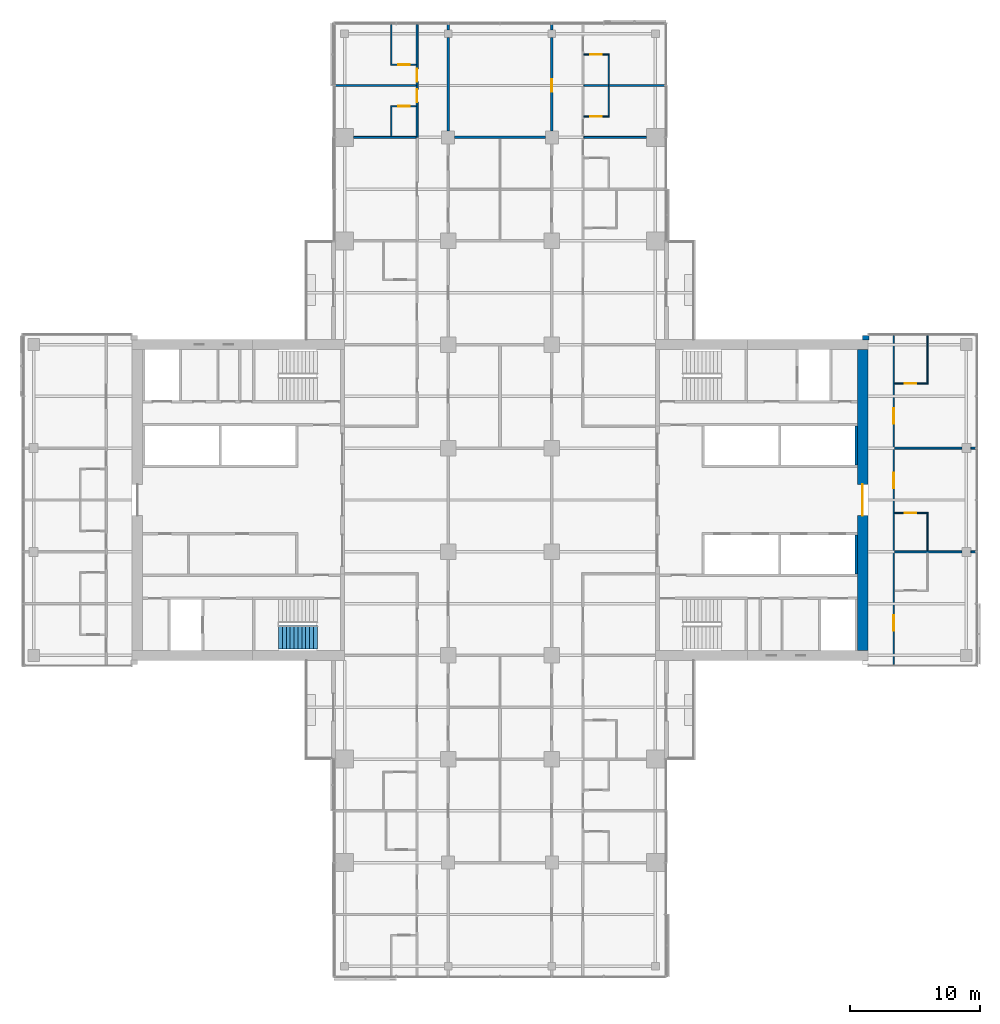
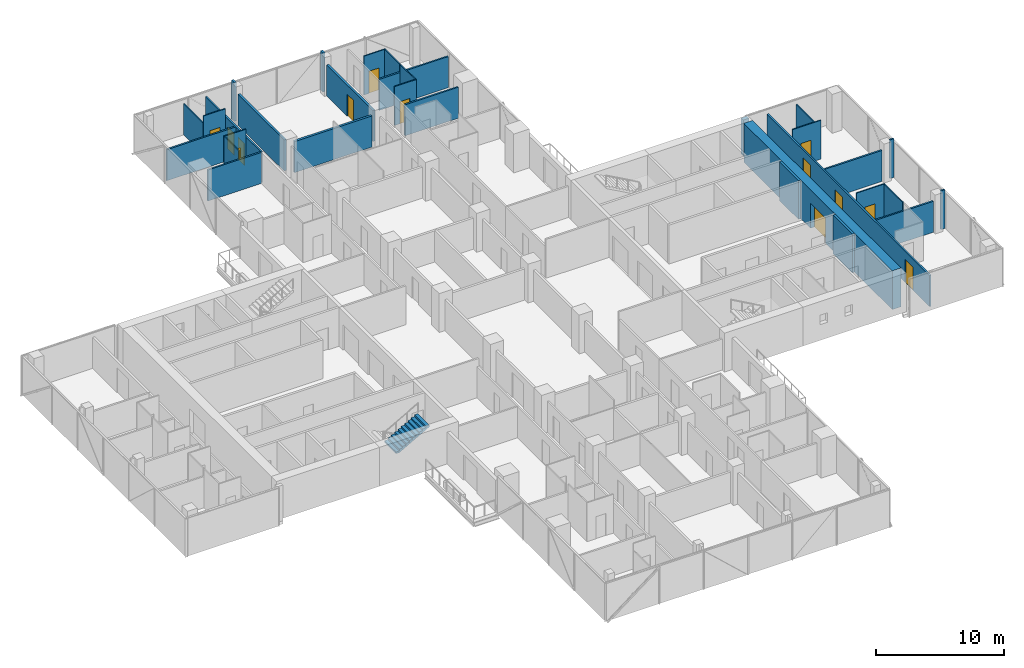
# One storey, part 21 of 27: 31 walls, 13 doors, 1 stair flight, 13 openings, 1 element without a shape of its own.
"""IFC4 building model written with IfcOpenShell, lengths in metres."""

from ifc_helpers import new_model, si_unit, direction, frame, frame_2d, origin, place, context, subcontext, project, spatial, polyline, rectangle, outline, extrude, material, layer, layer_set, type_object, element, fill, aggregate, save


model = new_model("IFC4")

# Units and contexts
model_context = context("Model", 3, precision=1e-05, world=origin(), true_north=direction((0.0, 1.0)))
body_context = subcontext(model_context, "Body", "Model", "MODEL_VIEW")
ifc_project = project(units=[si_unit("LENGTHUNIT", "METRE"), si_unit("AREAUNIT", "SQUARE_METRE"), si_unit("VOLUMEUNIT", "CUBIC_METRE"), si_unit("PLANEANGLEUNIT", "RADIAN"), si_unit("MASSUNIT", "GRAM", prefix="KILO")], contexts=[model_context])

# Site, building, storey
site_placement = place(None, origin())
site = spatial("IfcSite", under=ifc_project, at=site_placement, CompositionType="ELEMENT")
building_placement = place(site_placement, origin())
building = spatial("IfcBuilding", under=site, at=building_placement, Name="Crosswind Convention Tower", CompositionType="ELEMENT")
storey_placement = place(building_placement, frame((0.0, 0.0, 83.10009765625)))
storey = spatial("IfcBuildingStorey", under=building, at=storey_placement, Name="L15", CompositionType="ELEMENT", Elevation=83.10009765625)

# Wall, opening, door
ifc_material_1 = material(Name="Concrete C60/75", Category="concrete")
ifc_layer_1 = layer(ifc_material_1, 0.800048828125)
ifc_layer_set_1 = layer_set([ifc_layer_1], Name="Concrete C60/75")
wall_type_1 = type_object("IfcWallType", Name="Concrete core wall 800", PredefinedType="SHEAR", material=ifc_layer_set_1)
wall_1_placement = place(storey_placement, frame((153.0, 88.39990234375, 0.0), z_axis=(0.0, 0.0, 1.0), x_axis=(0.0, 1.0, 0.0)))
wall_1 = element("IfcWall", 1, at=wall_1_placement, inside=storey, type_object=wall_type_1, Name="Wall O E L15", PredefinedType="SHEAR", context=body_context, shape_type="SweptSolid", body=[
    extrude(rectangle(XDim=23.2001953125, YDim=0.800048828125, at=frame_2d((11.60009765625, 0.0))), origin(), (0.0, 0.0, 1.0), 3.699951171875),
])
opening_1_placement = place(wall_1_placement, frame((10.39990234375, 0.0, 0.0)))
opening_1 = element("IfcOpeningElement", 2, at=opening_1_placement, cuts=wall_1, Name="Opening D100", PredefinedType="OPENING", context=body_context, shape_type="SweptSolid", body=[
    extrude(rectangle(XDim=2.39990234375, YDim=2.39990234375, at=frame_2d((1.199951171875, 1.199951171875))), frame((0.0, 0.409912109375, 0.0), z_axis=(0.0, -1.0, 0.0), x_axis=(1.0, 0.0, 0.0)), (0.0, 0.0, 1.0), 0.820068359375),
])
ifc_material_2 = material(Name="Steel fire door with glazed vision panels", Category="steel")
door_type_1 = type_object("IfcDoorType", Name="Fire-rated double door 2400x2400", OperationType="DOUBLE_DOOR_SINGLE_SWING", PredefinedType="DOOR", material=ifc_material_2)
door_1_placement = place(opening_1_placement, origin())
door_1 = element("IfcDoor", 3, at=door_1_placement, inside=storey, type_object=door_type_1, Name="Lobby outer door L15", ObjectType="D100", OperationType="DOUBLE_DOOR_SINGLE_SWING", OverallHeight=2.39990234375, OverallWidth=2.39990234375, PredefinedType="DOOR", context=body_context, shape_type="SweptSolid", body=[
    extrude(rectangle(XDim=2.39990234375, YDim=2.39990234375, at=frame_2d((1.199951171875, 1.199951171875))), frame((0.0, 0.02490234375, 0.0), z_axis=(0.0, -1.0, 0.0), x_axis=(1.0, 0.0, 0.0)), (0.0, 0.0, 1.0), 0.050048828125),
])
fill(opening_1, door_1)

# Walls
ifc_material_3 = material(Name="Concrete C50/60", Category="concrete")
ifc_layer_2 = layer(ifc_material_3, 0.199951171875)
ifc_layer_set_2 = layer_set([ifc_layer_2], Name="Concrete C50/60")
wall_type_2 = type_object("IfcWallType", Name="Concrete shaft and stair wall 200", PredefinedType="SHEAR", material=ifc_layer_set_2)
for number, where, z_axis, x_axis, name in (
    (4, (152.5, 102.699951171875, 0.0), (0.0, 0.0, 1.0), (0.0, 1.0, 0.0), "Wall RPEAST E L15"),
    (5, (152.5, 94.300048828125, 0.0), (0.0, 0.0, 1.0), (0.0, 1.0, 0.0), "Wall RMEAST E L15"),
):
    element("IfcWall", number, at=place(storey_placement, frame(where, z_axis=z_axis, x_axis=x_axis)), inside=storey, type_object=wall_type_2, Name=name, PredefinedType="SHEAR", context=body_context, shape_type="SweptSolid", body=[
        extrude(rectangle(XDim=3.0, YDim=0.199951171875, at=frame_2d((1.5, 0.0))), origin(), (0.0, 0.0, 1.0), 3.699951171875),
    ])
ifc_material_4 = material(Name="Acoustic plasterboard partition", Category="gypsum")
ifc_layer_3 = layer(ifc_material_4, 0.14990234375)
ifc_layer_set_3 = layer_set([ifc_layer_3], Name="GUEST ROOM WALL 150")
wall_type_3 = type_object("IfcWallType", Name="GUEST ROOM WALL 150", PredefinedType="PARTITIONING", material=ifc_layer_set_3)
wall_2_placement = place(storey_placement, frame((155.47509765625, 96.0, 0.0), z_axis=(0.0, 0.0, 1.0), x_axis=(1.0, 0.0, 0.0)))
element("IfcWall", 6, at=wall_2_placement, inside=storey, type_object=wall_type_3, Name="Guest Room Wall 28", PredefinedType="PARTITIONING", context=body_context, shape_type="SweptSolid", body=[
    extrude(rectangle(XDim=5.1748046875, YDim=0.14990234375, at=frame_2d((2.58740234375, 0.0))), origin(), (0.0, 0.0, 1.0), 2.956298828125),
])
wall_3_placement = place(storey_placement, frame((161.35009765625, 96.0, 0.0), z_axis=(0.0, 0.0, 1.0), x_axis=(1.0, 0.0, 0.0)))
element("IfcWall", 7, at=wall_3_placement, inside=storey, type_object=wall_type_3, Name="Guest Room Wall 29", PredefinedType="PARTITIONING", context=body_context, shape_type="SweptSolid", body=[
    extrude(rectangle(XDim=0.349853515625, YDim=0.14990234375, at=frame_2d((0.1748046875, 0.0))), origin(), (0.0, 0.0, 1.0), 3.699951171875),
])
wall_4_placement = place(storey_placement, frame((155.47509765625, 104.0, 0.0), z_axis=(0.0, 0.0, 1.0), x_axis=(1.0, 0.0, 0.0)))
element("IfcWall", 8, at=wall_4_placement, inside=storey, type_object=wall_type_3, Name="Guest Room Wall 37", PredefinedType="PARTITIONING", context=body_context, shape_type="SweptSolid", body=[
    extrude(rectangle(XDim=5.1748046875, YDim=0.14990234375, at=frame_2d((2.58740234375, 0.0))), origin(), (0.0, 0.0, 1.0), 2.956298828125),
])
wall_5_placement = place(storey_placement, frame((161.35009765625, 104.0, 0.0), z_axis=(0.0, 0.0, 1.0), x_axis=(1.0, 0.0, 0.0)))
element("IfcWall", 9, at=wall_5_placement, inside=storey, type_object=wall_type_3, Name="Guest Room Wall 38", PredefinedType="PARTITIONING", context=body_context, shape_type="SweptSolid", body=[
    extrude(rectangle(XDim=0.349853515625, YDim=0.14990234375, at=frame_2d((0.1748046875, 0.0))), origin(), (0.0, 0.0, 1.0), 3.699951171875),
])
for number, where, z_axis, x_axis, name in (
    (10, (113.699951171875, 128.0, 0.0), (0.0, 0.0, 1.0), (1.0, 0.0, 0.0), "Guest Room Wall 52"),
    (11, (131.47509765625, 128.0, 0.0), (0.0, 0.0, 1.0), (1.0, 0.0, 0.0), "Guest Room Wall 54"),
):
    element("IfcWall", number, at=place(storey_placement, frame(where, z_axis=z_axis, x_axis=x_axis)), inside=storey, type_object=wall_type_3, Name=name, PredefinedType="PARTITIONING", context=body_context, shape_type="SweptSolid", body=[
        extrude(rectangle(XDim=4.824951171875, YDim=0.14990234375, at=frame_2d((2.41259765625, 0.0))), origin(), (0.0, 0.0, 1.0), 2.959716796875),
    ])
for number, where, z_axis, x_axis, name in (
    (12, (112.300048828125, 132.0, 0.0), (0.0, 0.0, 1.0), (1.0, 0.0, 0.0), "Guest Room Wall 57"),
    (13, (131.47509765625, 132.0, 0.0), (0.0, 0.0, 1.0), (1.0, 0.0, 0.0), "Guest Room Wall 58"),
):
    element("IfcWall", number, at=place(storey_placement, frame(where, z_axis=z_axis, x_axis=x_axis)), inside=storey, type_object=wall_type_3, Name=name, PredefinedType="PARTITIONING", context=body_context, shape_type="SweptSolid", body=[
        extrude(rectangle(XDim=6.224853515625, YDim=0.14990234375, at=frame_2d((3.1123046875, 0.0))), origin(), (0.0, 0.0, 1.0), 2.962646484375),
    ])

# Wall, openings, doors
wall_6_placement = place(storey_placement, frame((118.60009765625, 128.0, 0.0), z_axis=(0.0, 0.0, 1.0), x_axis=(0.0, 1.0, 0.0)))
wall_6 = element("IfcWall", 14, at=wall_6_placement, inside=storey, type_object=wall_type_3, Name="Guest Room Wall 78", PredefinedType="PARTITIONING", context=body_context, shape_type="SweptSolid", body=[
    extrude(rectangle(XDim=8.699951171875, YDim=0.14990234375, at=frame_2d((4.35009765625, 0.0))), origin(), (0.0, 0.0, 1.0), 2.959716796875),
])
opening_2_placement = place(wall_6_placement, frame((2.699951171875, 0.0, 0.0)))
opening_2 = element("IfcOpeningElement", 15, at=opening_2_placement, cuts=wall_6, Name="Opening 15.016", PredefinedType="OPENING", context=body_context, shape_type="SweptSolid", body=[
    extrude(rectangle(XDim=1.0, YDim=2.10009765625, at=frame_2d((0.5, 1.050048828125))), frame((0.0, 0.0849609375, 0.0), z_axis=(0.0, -1.0, 0.0), x_axis=(1.0, 0.0, 0.0)), (0.0, 0.0, 1.0), 0.169921875),
])
opening_3_placement = place(wall_6_placement, frame((4.300048828125, 0.0, 0.0)))
opening_3 = element("IfcOpeningElement", 16, at=opening_3_placement, cuts=wall_6, Name="Opening 15.018", PredefinedType="OPENING", context=body_context, shape_type="SweptSolid", body=[
    extrude(rectangle(XDim=1.0, YDim=2.10009765625, at=frame_2d((0.5, 1.050048828125))), frame((0.0, 0.0849609375, 0.0), z_axis=(0.0, -1.0, 0.0), x_axis=(1.0, 0.0, 0.0)), (0.0, 0.0, 1.0), 0.169921875),
])
ifc_material_5 = material(Name="Timber fire door", Category="wood")
door_type_2 = type_object("IfcDoorType", Name="GUEST ROOM DOOR 1000X2100", OperationType="NOTDEFINED", PredefinedType="DOOR", material=ifc_material_5)
door_2_placement = place(opening_2_placement, origin())
door_2 = element("IfcDoor", 17, at=door_2_placement, inside=storey, type_object=door_type_2, Name="Door 15.016", ObjectType="D1", OperationType="SINGLE_SWING_RIGHT", OverallHeight=2.10009765625, OverallWidth=1.0, PredefinedType="DOOR", context=body_context, shape_type="SweptSolid", body=[
    extrude(rectangle(XDim=1.0, YDim=2.10009765625, at=frame_2d((0.5, 1.050048828125))), frame((0.0, 0.02490234375, 0.0), z_axis=(0.0, -1.0, 0.0), x_axis=(1.0, 0.0, 0.0)), (0.0, 0.0, 1.0), 0.050048828125),
])
fill(opening_2, door_2)
door_3_placement = place(opening_3_placement, origin())
door_3 = element("IfcDoor", 18, at=door_3_placement, inside=storey, type_object=door_type_2, Name="Door 15.018", ObjectType="D1", OperationType="SINGLE_SWING_RIGHT", OverallHeight=2.10009765625, OverallWidth=1.0, PredefinedType="DOOR", context=body_context, shape_type="SweptSolid", body=[
    extrude(rectangle(XDim=1.0, YDim=2.10009765625, at=frame_2d((0.5, 1.050048828125))), frame((0.0, 0.02490234375, 0.0), z_axis=(0.0, -1.0, 0.0), x_axis=(1.0, 0.0, 0.0)), (0.0, 0.0, 1.0), 0.050048828125),
])
fill(opening_3, door_3)

wall_7_placement = place(storey_placement, frame((155.39990234375, 87.300048828125, 0.0), z_axis=(0.0, 0.0, 1.0), x_axis=(0.0, 1.0, 0.0)))
wall_7 = element("IfcWall", 19, at=wall_7_placement, inside=storey, type_object=wall_type_3, Name="Guest Room Wall 120", PredefinedType="PARTITIONING", context=body_context, shape_type="SweptSolid", body=[
    extrude(rectangle(XDim=25.39990234375, YDim=0.14990234375, at=frame_2d((12.699951171875, 0.0))), origin(), (0.0, 0.0, 1.0), 2.956298828125),
])
opening_4_placement = place(wall_7_placement, frame((2.60009765625, 0.0, 0.0)))
opening_4 = element("IfcOpeningElement", 20, at=opening_4_placement, cuts=wall_7, Name="Opening 15.033", PredefinedType="OPENING", context=body_context, shape_type="SweptSolid", body=[
    extrude(rectangle(XDim=1.199951171875, YDim=2.199951171875, at=frame_2d((0.60009765625, 1.10009765625))), frame((0.0, 0.0849609375, 0.0), z_axis=(0.0, -1.0, 0.0), x_axis=(1.0, 0.0, 0.0)), (0.0, 0.0, 1.0), 0.169921875),
])
opening_5_placement = place(wall_7_placement, frame((13.60009765625, 0.0, 0.0)))
opening_5 = element("IfcOpeningElement", 21, at=opening_5_placement, cuts=wall_7, Name="Opening 15.035", PredefinedType="OPENING", context=body_context, shape_type="SweptSolid", body=[
    extrude(rectangle(XDim=1.199951171875, YDim=2.199951171875, at=frame_2d((0.60009765625, 1.10009765625))), frame((0.0, 0.0849609375, 0.0), z_axis=(0.0, -1.0, 0.0), x_axis=(1.0, 0.0, 0.0)), (0.0, 0.0, 1.0), 0.169921875),
])
opening_6_placement = place(wall_7_placement, frame((18.60009765625, 0.0, 0.0)))
opening_6 = element("IfcOpeningElement", 22, at=opening_6_placement, cuts=wall_7, Name="Opening 15.037", PredefinedType="OPENING", context=body_context, shape_type="SweptSolid", body=[
    extrude(rectangle(XDim=1.199951171875, YDim=2.199951171875, at=frame_2d((0.60009765625, 1.10009765625))), frame((0.0, 0.0849609375, 0.0), z_axis=(0.0, -1.0, 0.0), x_axis=(1.0, 0.0, 0.0)), (0.0, 0.0, 1.0), 0.169921875),
])
door_type_3 = type_object("IfcDoorType", Name="SUITE DOOR 1200X2200", OperationType="DOUBLE_DOOR_SINGLE_SWING", PredefinedType="DOOR", material=ifc_material_5)
door_4_placement = place(opening_4_placement, frame((1.199951171875, 0.0, 0.0), z_axis=(0.0, 0.0, 1.0), x_axis=(-1.0, 0.0, 0.0)))
door_4 = element("IfcDoor", 23, at=door_4_placement, inside=storey, type_object=door_type_3, Name="Door 15.033", ObjectType="D14", OperationType="DOUBLE_DOOR_SINGLE_SWING", OverallHeight=2.199951171875, OverallWidth=1.199951171875, PredefinedType="DOOR", context=body_context, shape_type="SweptSolid", body=[
    extrude(rectangle(XDim=1.199951171875, YDim=2.199951171875, at=frame_2d((0.60009765625, 1.10009765625))), frame((0.0, 0.02490234375, 0.0), z_axis=(0.0, -1.0, 0.0), x_axis=(1.0, 0.0, 0.0)), (0.0, 0.0, 1.0), 0.050048828125),
])
fill(opening_4, door_4)
door_5_placement = place(opening_5_placement, frame((1.199951171875, 0.0, 0.0), z_axis=(0.0, 0.0, 1.0), x_axis=(-1.0, 0.0, 0.0)))
door_5 = element("IfcDoor", 24, at=door_5_placement, inside=storey, type_object=door_type_3, Name="Door 15.035", ObjectType="D14", OperationType="DOUBLE_DOOR_SINGLE_SWING", OverallHeight=2.199951171875, OverallWidth=1.199951171875, PredefinedType="DOOR", context=body_context, shape_type="SweptSolid", body=[
    extrude(rectangle(XDim=1.199951171875, YDim=2.199951171875, at=frame_2d((0.60009765625, 1.10009765625))), frame((0.0, 0.02490234375, 0.0), z_axis=(0.0, -1.0, 0.0), x_axis=(1.0, 0.0, 0.0)), (0.0, 0.0, 1.0), 0.050048828125),
])
fill(opening_5, door_5)
door_6_placement = place(opening_6_placement, frame((1.199951171875, 0.0, 0.0), z_axis=(0.0, 0.0, 1.0), x_axis=(-1.0, 0.0, 0.0)))
door_6 = element("IfcDoor", 25, at=door_6_placement, inside=storey, type_object=door_type_3, Name="Door 15.037", ObjectType="D14", OperationType="DOUBLE_DOOR_SINGLE_SWING", OverallHeight=2.199951171875, OverallWidth=1.199951171875, PredefinedType="DOOR", context=body_context, shape_type="SweptSolid", body=[
    extrude(rectangle(XDim=1.199951171875, YDim=2.199951171875, at=frame_2d((0.60009765625, 1.10009765625))), frame((0.0, 0.02490234375, 0.0), z_axis=(0.0, -1.0, 0.0), x_axis=(1.0, 0.0, 0.0)), (0.0, 0.0, 1.0), 0.050048828125),
])
fill(opening_6, door_6)

# Walls
ifc_material_6 = material(Name="Double plasterboard partition", Category="gypsum")
ifc_layer_4 = layer(ifc_material_6, 0.199951171875)
ifc_layer_set_4 = layer_set([ifc_layer_4], Name="HALL WALL 200")
wall_type_4 = type_object("IfcWallType", Name="HALL WALL 200", PredefinedType="PARTITIONING", material=ifc_layer_set_4)
wall_8_placement = place(storey_placement, frame((121.5, 128.0, 0.0), z_axis=(0.0, 0.0, 1.0), x_axis=(1.0, 0.0, 0.0)))
element("IfcWall", 26, at=wall_8_placement, inside=storey, type_object=wall_type_4, Name="Hall Wall 53", PredefinedType="PARTITIONING", context=body_context, shape_type="SweptSolid", body=[
    extrude(rectangle(XDim=7.0, YDim=0.199951171875, at=frame_2d((3.5, 0.0))), origin(), (0.0, 0.0, 1.0), 2.959716796875),
])
wall_9_placement = place(storey_placement, frame((121.0, 128.5, 0.0), z_axis=(0.0, 0.0, 1.0), x_axis=(0.0, 1.0, 0.0)))
element("IfcWall", 27, at=wall_9_placement, inside=storey, type_object=wall_type_4, Name="Hall Wall 88", PredefinedType="PARTITIONING", context=body_context, shape_type="SweptSolid", body=[
    extrude(rectangle(XDim=7.199951171875, YDim=0.199951171875, at=frame_2d((3.60009765625, 0.0))), origin(), (0.0, 0.0, 1.0), 2.959716796875),
])
wall_10_placement = place(storey_placement, frame((121.0, 136.300048828125, 0.0), z_axis=(0.0, 0.0, 1.0), x_axis=(0.0, 1.0, 0.0)))
element("IfcWall", 28, at=wall_10_placement, inside=storey, type_object=wall_type_4, Name="Hall Wall 89", PredefinedType="PARTITIONING", context=body_context, shape_type="SweptSolid", body=[
    extrude(rectangle(XDim=0.39990234375, YDim=0.199951171875, at=frame_2d((0.199951171875, 0.0))), origin(), (0.0, 0.0, 1.0), 3.699951171875),
])

# Wall, opening, door
wall_11_placement = place(storey_placement, frame((129.0, 128.5, 0.0), z_axis=(0.0, 0.0, 1.0), x_axis=(0.0, 1.0, 0.0)))
wall_11 = element("IfcWall", 29, at=wall_11_placement, inside=storey, type_object=wall_type_4, Name="Hall Wall 106", PredefinedType="PARTITIONING", context=body_context, shape_type="SweptSolid", body=[
    extrude(rectangle(XDim=7.199951171875, YDim=0.199951171875, at=frame_2d((3.60009765625, 0.0))), origin(), (0.0, 0.0, 1.0), 2.959716796875),
])
opening_7_placement = place(wall_11_placement, frame((3.0, 0.0, 0.0)))
opening_7 = element("IfcOpeningElement", 30, at=opening_7_placement, cuts=wall_11, Name="Opening 15.063", PredefinedType="OPENING", context=body_context, shape_type="SweptSolid", body=[
    extrude(rectangle(XDim=1.0, YDim=2.10009765625, at=frame_2d((0.5, 1.050048828125))), frame((0.0, 0.10986328125, 0.0), z_axis=(0.0, -1.0, 0.0), x_axis=(1.0, 0.0, 0.0)), (0.0, 0.0, 1.0), 0.219970703125),
])
door_type_4 = type_object("IfcDoorType", Name="MEETING ROOM DOOR 1000X2100", OperationType="NOTDEFINED", PredefinedType="DOOR", material=ifc_material_5)
door_7_placement = place(opening_7_placement, frame((1.0, 0.0, 0.0), z_axis=(0.0, 0.0, 1.0), x_axis=(-1.0, 0.0, 0.0)))
door_7 = element("IfcDoor", 31, at=door_7_placement, inside=storey, type_object=door_type_4, Name="Door 15.063", ObjectType="D13", OperationType="SINGLE_SWING_RIGHT", OverallHeight=2.10009765625, OverallWidth=1.0, PredefinedType="DOOR", context=body_context, shape_type="SweptSolid", body=[
    extrude(rectangle(XDim=1.0, YDim=2.10009765625, at=frame_2d((0.5, 1.050048828125))), frame((0.0, 0.02490234375, 0.0), z_axis=(0.0, -1.0, 0.0), x_axis=(1.0, 0.0, 0.0)), (0.0, 0.0, 1.0), 0.050048828125),
])
fill(opening_7, door_7)

# Walls
wall_12_placement = place(storey_placement, frame((129.0, 136.300048828125, 0.0), z_axis=(0.0, 0.0, 1.0), x_axis=(0.0, 1.0, 0.0)))
element("IfcWall", 32, at=wall_12_placement, inside=storey, type_object=wall_type_4, Name="Hall Wall 107", PredefinedType="PARTITIONING", context=body_context, shape_type="SweptSolid", body=[
    extrude(rectangle(XDim=0.39990234375, YDim=0.199951171875, at=frame_2d((0.199951171875, 0.0))), origin(), (0.0, 0.0, 1.0), 3.699951171875),
])
ifc_material_7 = material(Name="Terracotta rainscreen", Category="ceramic")
ifc_layer_5 = layer(ifc_material_7, 0.02001953125)
ifc_material_8 = material(Name="Mineral wool insulation", Category="insulation")
ifc_layer_6 = layer(ifc_material_8, 0.10009765625)
ifc_material_9 = material(Name="Concrete blockwork", Category="masonry")
ifc_layer_7 = layer(ifc_material_9, 0.236083984375)
ifc_layer_set_5 = layer_set([ifc_layer_5, ifc_layer_6, ifc_layer_7], Name="TERRACOTTA CORNER INFILL WALL 356")
wall_type_5 = type_object("IfcWallType", Name="TERRACOTTA CORNER INFILL WALL 356", PredefinedType="SOLIDWALL", material=ifc_layer_set_5)
wall_13_placement = place(storey_placement, frame((153.0, 112.52197265625, 0.0), z_axis=(0.0, 0.0, 1.0), x_axis=(1.0, 0.0, 0.0)))
element("IfcWall", 33, at=wall_13_placement, inside=storey, type_object=wall_type_5, Name="Core corner infill wall L15 1", PredefinedType="SOLIDWALL", context=body_context, shape_type="SweptSolid", body=[
    extrude(rectangle(XDim=0.5048828125, YDim=0.35595703125, at=frame_2d((0.25244140625, 0.0))), origin(), (0.0, 0.0, 1.0), 3.419921875),
])

# Wall, opening, door
ifc_material_10 = material(Name="Water-resistant plasterboard partition", Category="gypsum")
ifc_layer_8 = layer(ifc_material_10, 0.10009765625)
ifc_layer_set_6 = layer_set([ifc_layer_8], Name="WET ROOM PARTITION 100")
wall_type_6 = type_object("IfcWallType", Name="WET ROOM PARTITION 100", PredefinedType="PLUMBINGWALL", material=ifc_layer_set_6)
wall_14_placement = place(storey_placement, frame((155.47509765625, 99.0, 0.0), z_axis=(0.0, 0.0, 1.0), x_axis=(1.0, 0.0, 0.0)))
wall_14 = element("IfcWall", 34, at=wall_14_placement, inside=storey, type_object=wall_type_6, Name="Wet Room Partition 31", PredefinedType="PLUMBINGWALL", context=body_context, shape_type="SweptSolid", body=[
    extrude(rectangle(XDim=2.574951171875, YDim=0.10009765625, at=frame_2d((1.28759765625, 0.0))), origin(), (0.0, 0.0, 1.0), 3.699951171875),
])
opening_8_placement = place(wall_14_placement, frame((0.77490234375, 0.0, 0.0)))
opening_8 = element("IfcOpeningElement", 35, at=opening_8_placement, cuts=wall_14, Name="Opening 15.036", PredefinedType="OPENING", context=body_context, shape_type="SweptSolid", body=[
    extrude(rectangle(XDim=0.89990234375, YDim=2.10009765625, at=frame_2d((0.449951171875, 1.050048828125))), frame((0.0, 0.06005859375, 0.0), z_axis=(0.0, -1.0, 0.0), x_axis=(1.0, 0.0, 0.0)), (0.0, 0.0, 1.0), 0.1201171875),
])
ifc_material_11 = material(Name="Timber door", Category="wood")
door_type_5 = type_object("IfcDoorType", Name="EN-SUITE DOOR 900X2100", OperationType="NOTDEFINED", PredefinedType="DOOR", material=ifc_material_11)
door_8_placement = place(opening_8_placement, frame((0.89990234375, 0.0, 0.0), z_axis=(0.0, 0.0, 1.0), x_axis=(-1.0, 0.0, 0.0)))
door_8 = element("IfcDoor", 36, at=door_8_placement, inside=storey, type_object=door_type_5, Name="Door 15.036", ObjectType="D2", OperationType="SINGLE_SWING_LEFT", OverallHeight=2.10009765625, OverallWidth=0.89990234375, PredefinedType="DOOR", context=body_context, shape_type="SweptSolid", body=[
    extrude(rectangle(XDim=0.89990234375, YDim=2.10009765625, at=frame_2d((0.449951171875, 1.050048828125))), frame((0.0, 0.02490234375, 0.0), z_axis=(0.0, -1.0, 0.0), x_axis=(1.0, 0.0, 0.0)), (0.0, 0.0, 1.0), 0.050048828125),
])
fill(opening_8, door_8)

wall_15_placement = place(storey_placement, frame((155.47509765625, 109.0, 0.0), z_axis=(0.0, 0.0, 1.0), x_axis=(1.0, 0.0, 0.0)))
wall_15 = element("IfcWall", 37, at=wall_15_placement, inside=storey, type_object=wall_type_6, Name="Wet Room Partition 41", PredefinedType="PLUMBINGWALL", context=body_context, shape_type="SweptSolid", body=[
    extrude(rectangle(XDim=2.574951171875, YDim=0.10009765625, at=frame_2d((1.28759765625, 0.0))), origin(), (0.0, 0.0, 1.0), 3.699951171875),
])
opening_9_placement = place(wall_15_placement, frame((0.77490234375, 0.0, 0.0)))
opening_9 = element("IfcOpeningElement", 38, at=opening_9_placement, cuts=wall_15, Name="Opening 15.038", PredefinedType="OPENING", context=body_context, shape_type="SweptSolid", body=[
    extrude(rectangle(XDim=0.89990234375, YDim=2.10009765625, at=frame_2d((0.449951171875, 1.050048828125))), frame((0.0, 0.06005859375, 0.0), z_axis=(0.0, -1.0, 0.0), x_axis=(1.0, 0.0, 0.0)), (0.0, 0.0, 1.0), 0.1201171875),
])
door_9_placement = place(opening_9_placement, origin())
door_9 = element("IfcDoor", 39, at=door_9_placement, inside=storey, type_object=door_type_5, Name="Door 15.038", ObjectType="D2", OperationType="SINGLE_SWING_RIGHT", OverallHeight=2.10009765625, OverallWidth=0.89990234375, PredefinedType="DOOR", context=body_context, shape_type="SweptSolid", body=[
    extrude(rectangle(XDim=0.89990234375, YDim=2.10009765625, at=frame_2d((0.449951171875, 1.050048828125))), frame((0.0, 0.02490234375, 0.0), z_axis=(0.0, -1.0, 0.0), x_axis=(1.0, 0.0, 0.0)), (0.0, 0.0, 1.0), 0.050048828125),
])
fill(opening_9, door_9)

wall_16_placement = place(storey_placement, frame((131.47509765625, 129.60009765625, 0.0), z_axis=(0.0, 0.0, 1.0), x_axis=(1.0, 0.0, 0.0)))
wall_16 = element("IfcWall", 40, at=wall_16_placement, inside=storey, type_object=wall_type_6, Name="Wet Room Partition 55", PredefinedType="PLUMBINGWALL", context=body_context, shape_type="SweptSolid", body=[
    extrude(rectangle(XDim=1.974853515625, YDim=0.10009765625, at=frame_2d((0.9873046875, 0.0))), origin(), (0.0, 0.0, 1.0), 3.699951171875),
])
opening_10_placement = place(wall_16_placement, frame((0.47509765625, 0.0, 0.0)))
opening_10 = element("IfcOpeningElement", 41, at=opening_10_placement, cuts=wall_16, Name="Opening 15.010", PredefinedType="OPENING", context=body_context, shape_type="SweptSolid", body=[
    extrude(rectangle(XDim=0.89990234375, YDim=2.10009765625, at=frame_2d((0.449951171875, 1.050048828125))), frame((0.0, 0.06005859375, 0.0), z_axis=(0.0, -1.0, 0.0), x_axis=(1.0, 0.0, 0.0)), (0.0, 0.0, 1.0), 0.1201171875),
])
door_10_placement = place(opening_10_placement, origin())
door_10 = element("IfcDoor", 42, at=door_10_placement, inside=storey, type_object=door_type_5, Name="Door 15.010", ObjectType="D2", OperationType="SINGLE_SWING_RIGHT", OverallHeight=2.10009765625, OverallWidth=0.89990234375, PredefinedType="DOOR", context=body_context, shape_type="SweptSolid", body=[
    extrude(rectangle(XDim=0.89990234375, YDim=2.10009765625, at=frame_2d((0.449951171875, 1.050048828125))), frame((0.0, 0.02490234375, 0.0), z_axis=(0.0, -1.0, 0.0), x_axis=(1.0, 0.0, 0.0)), (0.0, 0.0, 1.0), 0.050048828125),
])
fill(opening_10, door_10)

wall_17_placement = place(storey_placement, frame((116.550048828125, 130.39990234375, 0.0), z_axis=(0.0, 0.0, 1.0), x_axis=(1.0, 0.0, 0.0)))
wall_17 = element("IfcWall", 43, at=wall_17_placement, inside=storey, type_object=wall_type_6, Name="Wet Room Partition 56", PredefinedType="PLUMBINGWALL", context=body_context, shape_type="SweptSolid", body=[
    extrude(rectangle(XDim=1.974853515625, YDim=0.10009765625, at=frame_2d((0.9873046875, 0.0))), origin(), (0.0, 0.0, 1.0), 3.699951171875),
])
opening_11_placement = place(wall_17_placement, frame((0.60009765625, 0.0, 0.0)))
opening_11 = element("IfcOpeningElement", 44, at=opening_11_placement, cuts=wall_17, Name="Opening 15.017", PredefinedType="OPENING", context=body_context, shape_type="SweptSolid", body=[
    extrude(rectangle(XDim=0.89990234375, YDim=2.10009765625, at=frame_2d((0.449951171875, 1.050048828125))), frame((0.0, 0.06005859375, 0.0), z_axis=(0.0, -1.0, 0.0), x_axis=(1.0, 0.0, 0.0)), (0.0, 0.0, 1.0), 0.1201171875),
])
door_11_placement = place(opening_11_placement, frame((0.89990234375, 0.0, 0.0), z_axis=(0.0, 0.0, 1.0), x_axis=(-1.0, 0.0, 0.0)))
door_11 = element("IfcDoor", 45, at=door_11_placement, inside=storey, type_object=door_type_5, Name="Door 15.017", ObjectType="D2", OperationType="SINGLE_SWING_LEFT", OverallHeight=2.10009765625, OverallWidth=0.89990234375, PredefinedType="DOOR", context=body_context, shape_type="SweptSolid", body=[
    extrude(rectangle(XDim=0.89990234375, YDim=2.10009765625, at=frame_2d((0.449951171875, 1.050048828125))), frame((0.0, 0.02490234375, 0.0), z_axis=(0.0, -1.0, 0.0), x_axis=(1.0, 0.0, 0.0)), (0.0, 0.0, 1.0), 0.050048828125),
])
fill(opening_11, door_11)

wall_18_placement = place(storey_placement, frame((116.550048828125, 133.60009765625, 0.0), z_axis=(0.0, 0.0, 1.0), x_axis=(1.0, 0.0, 0.0)))
wall_18 = element("IfcWall", 46, at=wall_18_placement, inside=storey, type_object=wall_type_6, Name="Wet Room Partition 59", PredefinedType="PLUMBINGWALL", context=body_context, shape_type="SweptSolid", body=[
    extrude(rectangle(XDim=1.974853515625, YDim=0.10009765625, at=frame_2d((0.9873046875, 0.0))), origin(), (0.0, 0.0, 1.0), 3.699951171875),
])
opening_12_placement = place(wall_18_placement, frame((0.60009765625, 0.0, 0.0)))
opening_12 = element("IfcOpeningElement", 47, at=opening_12_placement, cuts=wall_18, Name="Opening 15.019", PredefinedType="OPENING", context=body_context, shape_type="SweptSolid", body=[
    extrude(rectangle(XDim=0.89990234375, YDim=2.10009765625, at=frame_2d((0.449951171875, 1.050048828125))), frame((0.0, 0.06005859375, 0.0), z_axis=(0.0, -1.0, 0.0), x_axis=(1.0, 0.0, 0.0)), (0.0, 0.0, 1.0), 0.1201171875),
])
door_12_placement = place(opening_12_placement, origin())
door_12 = element("IfcDoor", 48, at=door_12_placement, inside=storey, type_object=door_type_5, Name="Door 15.019", ObjectType="D2", OperationType="SINGLE_SWING_RIGHT", OverallHeight=2.10009765625, OverallWidth=0.89990234375, PredefinedType="DOOR", context=body_context, shape_type="SweptSolid", body=[
    extrude(rectangle(XDim=0.89990234375, YDim=2.10009765625, at=frame_2d((0.449951171875, 1.050048828125))), frame((0.0, 0.02490234375, 0.0), z_axis=(0.0, -1.0, 0.0), x_axis=(1.0, 0.0, 0.0)), (0.0, 0.0, 1.0), 0.050048828125),
])
fill(opening_12, door_12)

wall_19_placement = place(storey_placement, frame((131.47509765625, 134.39990234375, 0.0), z_axis=(0.0, 0.0, 1.0), x_axis=(1.0, 0.0, 0.0)))
wall_19 = element("IfcWall", 49, at=wall_19_placement, inside=storey, type_object=wall_type_6, Name="Wet Room Partition 60", PredefinedType="PLUMBINGWALL", context=body_context, shape_type="SweptSolid", body=[
    extrude(rectangle(XDim=1.974853515625, YDim=0.10009765625, at=frame_2d((0.9873046875, 0.0))), origin(), (0.0, 0.0, 1.0), 3.699951171875),
])
opening_13_placement = place(wall_19_placement, frame((0.47509765625, 0.0, 0.0)))
opening_13 = element("IfcOpeningElement", 50, at=opening_13_placement, cuts=wall_19, Name="Opening 15.012", PredefinedType="OPENING", context=body_context, shape_type="SweptSolid", body=[
    extrude(rectangle(XDim=0.89990234375, YDim=2.10009765625, at=frame_2d((0.449951171875, 1.050048828125))), frame((0.0, 0.06005859375, 0.0), z_axis=(0.0, -1.0, 0.0), x_axis=(1.0, 0.0, 0.0)), (0.0, 0.0, 1.0), 0.1201171875),
])
door_13_placement = place(opening_13_placement, frame((0.89990234375, 0.0, 0.0), z_axis=(0.0, 0.0, 1.0), x_axis=(-1.0, 0.0, 0.0)))
door_13 = element("IfcDoor", 51, at=door_13_placement, inside=storey, type_object=door_type_5, Name="Door 15.012", ObjectType="D2", OperationType="SINGLE_SWING_LEFT", OverallHeight=2.10009765625, OverallWidth=0.89990234375, PredefinedType="DOOR", context=body_context, shape_type="SweptSolid", body=[
    extrude(rectangle(XDim=0.89990234375, YDim=2.10009765625, at=frame_2d((0.449951171875, 1.050048828125))), frame((0.0, 0.02490234375, 0.0), z_axis=(0.0, -1.0, 0.0), x_axis=(1.0, 0.0, 0.0)), (0.0, 0.0, 1.0), 0.050048828125),
])
fill(opening_13, door_13)

# Walls
wall_20_placement = place(storey_placement, frame((116.60009765625, 128.074951171875, 0.0), z_axis=(0.0, 0.0, 1.0), x_axis=(0.0, 1.0, 0.0)))
element("IfcWall", 52, at=wall_20_placement, inside=storey, type_object=wall_type_6, Name="Wet Room Partition 71", PredefinedType="PLUMBINGWALL", context=body_context, shape_type="SweptSolid", body=[
    extrude(rectangle(XDim=2.275146484375, YDim=0.10009765625, at=frame_2d((1.1376953125, 0.0))), origin(), (0.0, 0.0, 1.0), 3.699951171875),
])
wall_21_placement = place(storey_placement, frame((116.60009765625, 133.64990234375, 0.0), z_axis=(0.0, 0.0, 1.0), x_axis=(0.0, 1.0, 0.0)))
element("IfcWall", 53, at=wall_21_placement, inside=storey, type_object=wall_type_6, Name="Wet Room Partition 72", PredefinedType="PLUMBINGWALL", context=body_context, shape_type="SweptSolid", body=[
    extrude(rectangle(XDim=3.050048828125, YDim=0.10009765625, at=frame_2d((1.52490234375, 0.0))), origin(), (0.0, 0.0, 1.0), 2.962646484375),
])
for number, where, z_axis, x_axis, name in (
    (54, (133.39990234375, 129.64990234375, 0.0), (0.0, 0.0, 1.0), (0.0, 1.0, 0.0), "Wet Room Partition 116"),
    (55, (133.39990234375, 132.074951171875, 0.0), (0.0, 0.0, 1.0), (0.0, 1.0, 0.0), "Wet Room Partition 117"),
):
    element("IfcWall", number, at=place(storey_placement, frame(where, z_axis=z_axis, x_axis=x_axis)), inside=storey, type_object=wall_type_6, Name=name, PredefinedType="PLUMBINGWALL", context=body_context, shape_type="SweptSolid", body=[
        extrude(rectangle(XDim=2.275146484375, YDim=0.10009765625, at=frame_2d((1.1376953125, 0.0))), origin(), (0.0, 0.0, 1.0), 3.699951171875),
    ])
wall_22_placement = place(storey_placement, frame((158.0, 96.074951171875, 0.0), z_axis=(0.0, 0.0, 1.0), x_axis=(0.0, 1.0, 0.0)))
element("IfcWall", 56, at=wall_22_placement, inside=storey, type_object=wall_type_6, Name="Wet Room Partition 122", PredefinedType="PLUMBINGWALL", context=body_context, shape_type="SweptSolid", body=[
    extrude(rectangle(XDim=2.875, YDim=0.10009765625, at=frame_2d((1.4375, 0.0))), origin(), (0.0, 0.0, 1.0), 3.699951171875),
])
wall_23_placement = place(storey_placement, frame((158.0, 109.050048828125, 0.0), z_axis=(0.0, 0.0, 1.0), x_axis=(0.0, 1.0, 0.0)))
element("IfcWall", 57, at=wall_23_placement, inside=storey, type_object=wall_type_6, Name="Wet Room Partition 123", PredefinedType="PLUMBINGWALL", context=body_context, shape_type="SweptSolid", body=[
    extrude(rectangle(XDim=3.64990234375, YDim=0.10009765625, at=frame_2d((1.824951171875, 0.0))), origin(), (0.0, 0.0, 1.0), 2.962646484375),
])

# Stair, stair flight
ifc_material_12 = material(Name="Concrete C40/50", Category="concrete")
stair_type = type_object("IfcStairType", Name="Exit stair 1800 wide, 2 flights of 11 risers", PredefinedType="HALF_TURN_STAIR", material=ifc_material_12)
stair_placement = place(storey_placement, origin())
stair = element("IfcStair", 58, at=stair_placement, inside=storey, type_object=stair_type, Name="Exit stair ST3 L15", ObjectType="ST5", PredefinedType="HALF_TURN_STAIR")
stair_flight_type = type_object("IfcStairFlightType", Name="Stair flight 1800 wide, 11 risers (SF3)", PredefinedType="STRAIGHT", material=ifc_material_12)
stair_flight_placement = place(storey_placement, frame((107.89990234375, 89.39990234375, 1.849853515625), z_axis=(0.0, 0.0, 1.0), x_axis=(1.0, 0.0, 0.0)))
stair_flight = element("IfcStairFlight", 59, at=stair_flight_placement, type_object=stair_flight_type, Name="ST3 flight 2", NumberOfRisers=11, NumberOfTreads=10, PredefinedType="STRAIGHT", RiserHeight=0.168181818, TreadLength=0.3, context=body_context, shape_type="SweptSolid", body=[
    extrude(outline(polyline([(0.0, 0.0), (0.0, 0.168212890625), (0.300048828125, 0.168212890625), (0.300048828125, 0.33642578125), (0.60009765625, 0.33642578125), (0.60009765625, 0.504638671875), (0.89990234375, 0.504638671875), (0.89990234375, 0.672607421875), (1.199951171875, 0.672607421875), (1.199951171875, 0.8408203125), (1.5, 0.8408203125), (1.5, 1.009033203125), (1.800048828125, 1.009033203125), (1.800048828125, 1.17724609375), (2.10009765625, 1.17724609375), (2.10009765625, 1.345458984375), (2.39990234375, 1.345458984375), (2.39990234375, 1.513671875), (2.699951171875, 1.513671875), (2.699951171875, 1.681884765625), (3.0, 1.681884765625), (3.0, 1.85009765625), (3.0, 1.510009765625), (0.306640625, 0.0), (0.0, 0.0)])), frame((0.0, 0.89990234375, 0.0), z_axis=(0.0, -1.0, 0.0), x_axis=(1.0, 0.0, 0.0)), (0.0, 0.0, 1.0), 1.800048828125),
])
aggregate(stair, [stair_flight])

save(model, "model.ifc")
